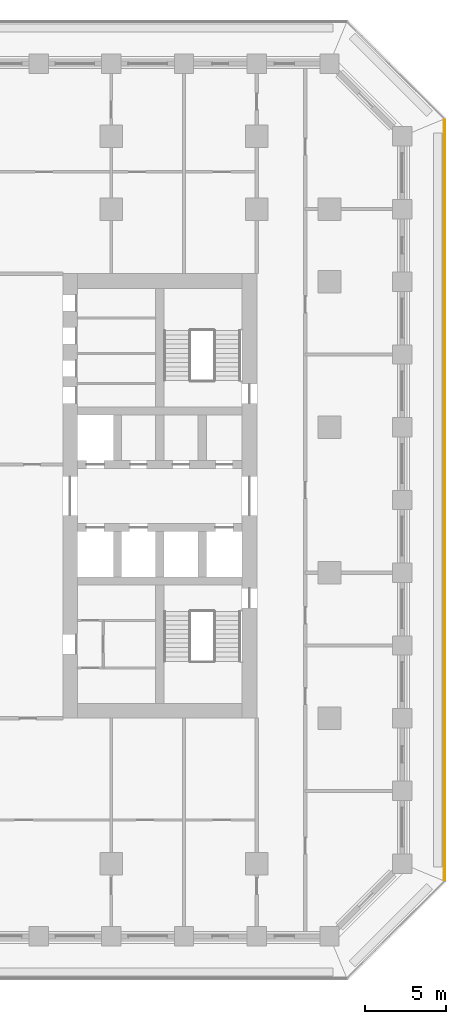
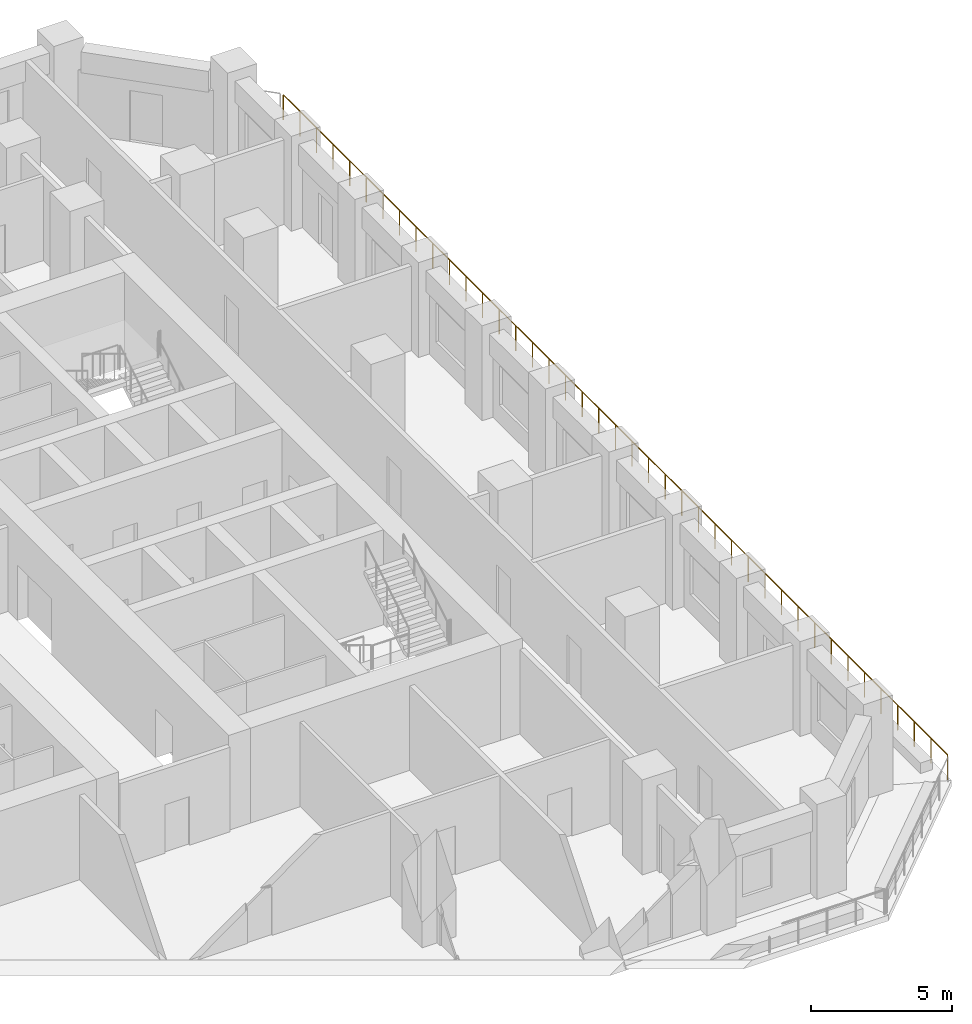
# One storey, part 12 of 16: 1 railing.
"""IFC4 building model written with IfcOpenShell, lengths in metres."""

from ifc_helpers import new_model, si_unit, direction, frame, origin, origin_2d, place, context, subcontext, project, spatial, circle, extrude, material, type_object, element, save


model = new_model("IFC4")

# Units and contexts
model_context = context("Model", 3, precision=1e-05, world=origin(), true_north=direction((0.0, 1.0)))
body_context = subcontext(model_context, "Body", "Model", "MODEL_VIEW")
ifc_project = project(units=[si_unit("LENGTHUNIT", "METRE"), si_unit("AREAUNIT", "SQUARE_METRE"), si_unit("VOLUMEUNIT", "CUBIC_METRE"), si_unit("PLANEANGLEUNIT", "RADIAN"), si_unit("MASSUNIT", "GRAM", prefix="KILO")], contexts=[model_context])

# Site, building, storey
site_placement = place(None, origin())
site = spatial("IfcSite", under=ifc_project, at=site_placement, CompositionType="ELEMENT")
building_placement = place(site_placement, origin())
building = spatial("IfcBuilding", under=site, at=building_placement, Name="Corbel Stack Research Tower", CompositionType="ELEMENT")
storey_placement = place(building_placement, frame((0.0, 0.0, 120.800048828125)))
storey = spatial("IfcBuildingStorey", under=building, at=storey_placement, Name="L27", CompositionType="ELEMENT", Elevation=120.800048828125)

# Railing
ifc_material = material(Name="Powder-coated steel guard", Category="steel")
railing_type = type_object("IfcRailingType", Name="Steel and glass guard 1100", PredefinedType="GUARDRAIL", material=ifc_material)
railing_placement = place(storey_placement, frame((29.60009765625, -19.00537109375, 0.0)))
element("IfcRailing", 1, at=railing_placement, inside=storey, type_object=railing_type, Name="Loggia guard L27 E", PredefinedType="GUARDRAIL", context=body_context, shape_type="SweptSolid", body=[
    extrude(circle(Radius=0.02392578125, at=origin_2d()), frame((0.0, 0.0, 1.076171875), z_axis=(0.0, 1.0, 0.0), x_axis=(-1.0, 0.0, 0.0)), (0.0, 0.0, 1.0), 47.0107421875),
    extrude(circle(Radius=0.02099609375, at=origin_2d()), origin(), (0.0, 0.0, 1.0), 1.052001953125),
    extrude(circle(Radius=0.02099609375, at=origin_2d()), frame((0.0, 1.17529296875, 0.0)), (0.0, 0.0, 1.0), 1.052001953125),
    extrude(circle(Radius=0.02099609375, at=origin_2d()), frame((0.0, 2.3505859375, 0.0)), (0.0, 0.0, 1.0), 1.052001953125),
    extrude(circle(Radius=0.02099609375, at=origin_2d()), frame((0.0, 3.52587890625, 0.0)), (0.0, 0.0, 1.0), 1.052001953125),
    extrude(circle(Radius=0.02099609375, at=origin_2d()), frame((0.0, 4.701171875, 0.0)), (0.0, 0.0, 1.0), 1.052001953125),
    extrude(circle(Radius=0.02099609375, at=origin_2d()), frame((0.0, 5.87646484375, 0.0)), (0.0, 0.0, 1.0), 1.052001953125),
    extrude(circle(Radius=0.02099609375, at=origin_2d()), frame((0.0, 7.051513671875, 0.0)), (0.0, 0.0, 1.0), 1.052001953125),
    extrude(circle(Radius=0.02099609375, at=origin_2d()), frame((0.0, 8.226806640625, 0.0)), (0.0, 0.0, 1.0), 1.052001953125),
    extrude(circle(Radius=0.02099609375, at=origin_2d()), frame((0.0, 9.402099609375, 0.0)), (0.0, 0.0, 1.0), 1.052001953125),
    extrude(circle(Radius=0.02099609375, at=origin_2d()), frame((0.0, 10.577392578125, 0.0)), (0.0, 0.0, 1.0), 1.052001953125),
    extrude(circle(Radius=0.02099609375, at=origin_2d()), frame((0.0, 11.752685546875, 0.0)), (0.0, 0.0, 1.0), 1.052001953125),
    extrude(circle(Radius=0.02099609375, at=origin_2d()), frame((0.0, 12.927978515625, 0.0)), (0.0, 0.0, 1.0), 1.052001953125),
    extrude(circle(Radius=0.02099609375, at=origin_2d()), frame((0.0, 14.103271484375, 0.0)), (0.0, 0.0, 1.0), 1.052001953125),
    extrude(circle(Radius=0.02099609375, at=origin_2d()), frame((0.0, 15.278564453125, 0.0)), (0.0, 0.0, 1.0), 1.052001953125),
    extrude(circle(Radius=0.02099609375, at=origin_2d()), frame((0.0, 16.453857421875, 0.0)), (0.0, 0.0, 1.0), 1.052001953125),
    extrude(circle(Radius=0.02099609375, at=origin_2d()), frame((0.0, 17.62890625, 0.0)), (0.0, 0.0, 1.0), 1.052001953125),
    extrude(circle(Radius=0.02099609375, at=origin_2d()), frame((0.0, 18.80419921875, 0.0)), (0.0, 0.0, 1.0), 1.052001953125),
    extrude(circle(Radius=0.02099609375, at=origin_2d()), frame((0.0, 19.9794921875, 0.0)), (0.0, 0.0, 1.0), 1.052001953125),
    extrude(circle(Radius=0.02099609375, at=origin_2d()), frame((0.0, 21.15478515625, 0.0)), (0.0, 0.0, 1.0), 1.052001953125),
    extrude(circle(Radius=0.02099609375, at=origin_2d()), frame((0.0, 22.330078125, 0.0)), (0.0, 0.0, 1.0), 1.052001953125),
    extrude(circle(Radius=0.02099609375, at=origin_2d()), frame((0.0, 23.50537109375, 0.0)), (0.0, 0.0, 1.0), 1.052001953125),
    extrude(circle(Radius=0.02099609375, at=origin_2d()), frame((0.0, 24.6806640625, 0.0)), (0.0, 0.0, 1.0), 1.052001953125),
    extrude(circle(Radius=0.02099609375, at=origin_2d()), frame((0.0, 25.85595703125, 0.0)), (0.0, 0.0, 1.0), 1.052001953125),
    extrude(circle(Radius=0.02099609375, at=origin_2d()), frame((0.0, 27.03125, 0.0)), (0.0, 0.0, 1.0), 1.052001953125),
    extrude(circle(Radius=0.02099609375, at=origin_2d()), frame((0.0, 28.20654296875, 0.0)), (0.0, 0.0, 1.0), 1.052001953125),
    extrude(circle(Radius=0.02099609375, at=origin_2d()), frame((0.0, 29.3818359375, 0.0)), (0.0, 0.0, 1.0), 1.052001953125),
    extrude(circle(Radius=0.02099609375, at=origin_2d()), frame((0.0, 30.556884765625, 0.0)), (0.0, 0.0, 1.0), 1.052001953125),
    extrude(circle(Radius=0.02099609375, at=origin_2d()), frame((0.0, 31.732177734375, 0.0)), (0.0, 0.0, 1.0), 1.052001953125),
    extrude(circle(Radius=0.02099609375, at=origin_2d()), frame((0.0, 32.907470703125, 0.0)), (0.0, 0.0, 1.0), 1.052001953125),
    extrude(circle(Radius=0.02099609375, at=origin_2d()), frame((0.0, 34.082763671875, 0.0)), (0.0, 0.0, 1.0), 1.052001953125),
    extrude(circle(Radius=0.02099609375, at=origin_2d()), frame((0.0, 35.258056640625, 0.0)), (0.0, 0.0, 1.0), 1.052001953125),
    extrude(circle(Radius=0.02099609375, at=origin_2d()), frame((0.0, 36.433349609375, 0.0)), (0.0, 0.0, 1.0), 1.052001953125),
    extrude(circle(Radius=0.02099609375, at=origin_2d()), frame((0.0, 37.608642578125, 0.0)), (0.0, 0.0, 1.0), 1.052001953125),
    extrude(circle(Radius=0.02099609375, at=origin_2d()), frame((0.0, 38.783935546875, 0.0)), (0.0, 0.0, 1.0), 1.052001953125),
    extrude(circle(Radius=0.02099609375, at=origin_2d()), frame((0.0, 39.959228515625, 0.0)), (0.0, 0.0, 1.0), 1.052001953125),
    extrude(circle(Radius=0.02099609375, at=origin_2d()), frame((0.0, 41.13427734375, 0.0)), (0.0, 0.0, 1.0), 1.052001953125),
    extrude(circle(Radius=0.02099609375, at=origin_2d()), frame((0.0, 42.3095703125, 0.0)), (0.0, 0.0, 1.0), 1.052001953125),
    extrude(circle(Radius=0.02099609375, at=origin_2d()), frame((0.0, 43.48486328125, 0.0)), (0.0, 0.0, 1.0), 1.052001953125),
    extrude(circle(Radius=0.02099609375, at=origin_2d()), frame((0.0, 44.66015625, 0.0)), (0.0, 0.0, 1.0), 1.052001953125),
    extrude(circle(Radius=0.02099609375, at=origin_2d()), frame((0.0, 45.83544921875, 0.0)), (0.0, 0.0, 1.0), 1.052001953125),
    extrude(circle(Radius=0.02099609375, at=origin_2d()), frame((0.0, 47.0107421875, 0.0)), (0.0, 0.0, 1.0), 1.052001953125),
])

save(model, "model.ifc")
